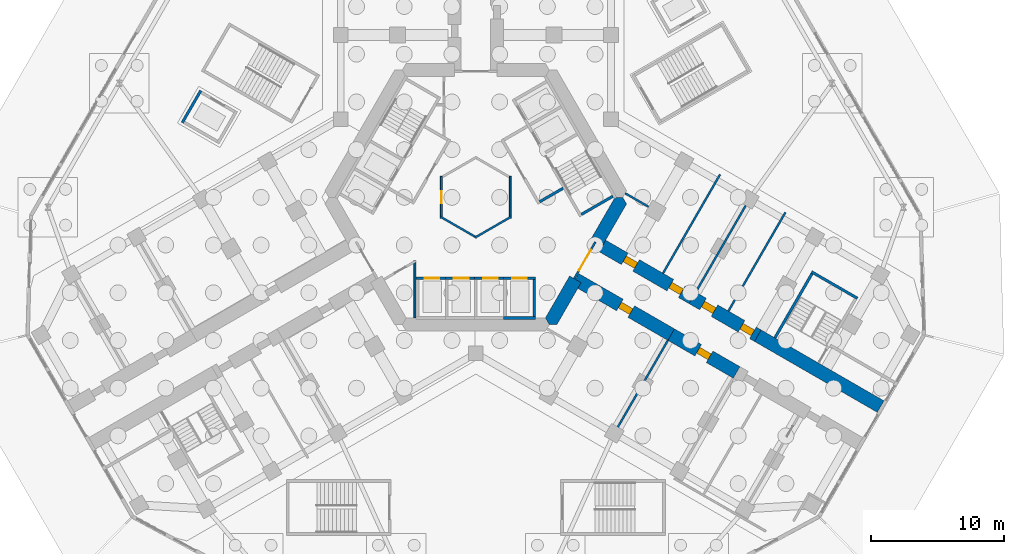
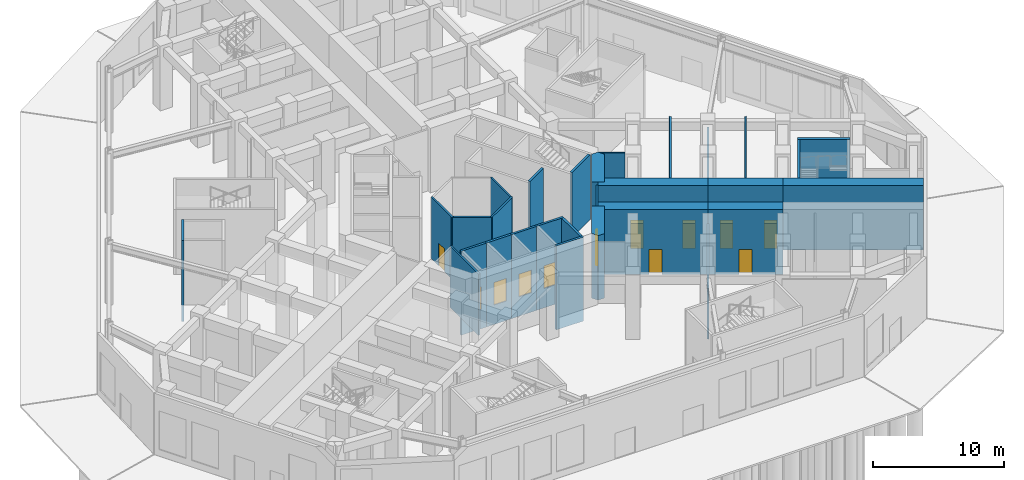
# One storey, part 7 of 16: 29 walls, 12 doors, 12 openings.
"""IFC4 building model written with IfcOpenShell, lengths in metres."""

from ifc_helpers import new_model, si_unit, direction, frame, frame_2d, origin, place, context, subcontext, project, spatial, polyline, rectangle, outline, extrude, material, layer, layer_set, type_object, element, fill, save


model = new_model("IFC4")

# Units and contexts
model_context = context("Model", 3, precision=1e-05, world=origin(), true_north=direction((0.0, 1.0)))
body_context = subcontext(model_context, "Body", "Model", "MODEL_VIEW")
ifc_project = project(units=[si_unit("LENGTHUNIT", "METRE"), si_unit("AREAUNIT", "SQUARE_METRE"), si_unit("VOLUMEUNIT", "CUBIC_METRE"), si_unit("PLANEANGLEUNIT", "RADIAN"), si_unit("MASSUNIT", "GRAM", prefix="KILO")], contexts=[model_context])

# Site, building, storey
site_placement = place(None, origin())
site = spatial("IfcSite", under=ifc_project, at=site_placement, CompositionType="ELEMENT")
building_placement = place(site_placement, origin())
building = spatial("IfcBuilding", under=site, at=building_placement, Name="Kosmar Iwan School Tower", CompositionType="ELEMENT")
storey_placement = place(building_placement, origin())
storey = spatial("IfcBuildingStorey", under=building, at=storey_placement, Name="L00", CompositionType="ELEMENT", Elevation=0.0)

# Walls
ifc_material_1 = material(Name="Gypsum board on steel studs, fire-rated", Category="steel")
ifc_layer_1 = layer(ifc_material_1, 0.14990234375)
ifc_layer_set_1 = layer_set([ifc_layer_1], Name="Core room partition 150")
wall_type_1 = type_object("IfcWallType", Name="Core room partition 150", PredefinedType="PARTITIONING", material=ifc_layer_set_1)
for number, where, z_axis, x_axis, name in (
    (1, (2.6650390625, -1.463623046875, 0.0), (0.0, 0.0, 1.0), (-0.866023080072, -0.500004024767, 0.0), "Core room partition L00-CW4"),
    (2, (0.06494140625, -3.039794921875, 0.0), (0.0, 0.0, 1.0), (-0.866023080072, 0.500004024767, 0.0), "Core room partition L00-CW5"),
):
    element("IfcWall", number, at=place(storey_placement, frame(where, z_axis=z_axis, x_axis=x_axis)), inside=storey, type_object=wall_type_1, Name=name, PredefinedType="PARTITIONING", context=body_context, shape_type="SweptSolid", body=[
        extrude(rectangle(XDim=3.15234375, YDim=0.14990234375, at=frame_2d((1.576171875, 0.0))), origin(), (0.0, 0.0, 1.0), 5.699951171875),
    ])

# Wall, opening, door
wall_1_placement = place(storey_placement, frame((-2.60009765625, -1.576171875, 0.0), z_axis=(0.0, 0.0, 1.0), x_axis=(0.0, 1.0, 0.0)))
wall_1 = element("IfcWall", 3, at=wall_1_placement, inside=storey, type_object=wall_type_1, Name="Core room partition L00-CW6", PredefinedType="PARTITIONING", context=body_context, shape_type="SweptSolid", body=[
    extrude(rectangle(XDim=3.15234375, YDim=0.14990234375, at=frame_2d((1.576171875, 0.0))), origin(), (0.0, 0.0, 1.0), 5.699951171875),
])
opening_1_placement = place(wall_1_placement, frame((1.1259765625, 0.0, 0.0)))
opening_1 = element("IfcOpeningElement", 4, at=opening_1_placement, cuts=wall_1, Name="Opening D14", PredefinedType="OPENING", context=body_context, shape_type="SweptSolid", body=[
    extrude(rectangle(XDim=0.89990234375, YDim=2.10009765625, at=frame_2d((0.449951171875, 1.050048828125))), frame((0.0, 0.0869140625, 0.0), z_axis=(0.0, -1.0, 0.0), x_axis=(1.0, 0.0, 0.0)), (0.0, 0.0, 1.0), 0.173828125),
])
ifc_material_2 = material(Name="Timber fire door in steel frame", Category="steel")
door_type_1 = type_object("IfcDoorType", Name="Core room door 900x2100", OperationType="SINGLE_SWING_LEFT", PredefinedType="DOOR", material=ifc_material_2)
door_1_placement = place(opening_1_placement, origin())
door_1 = element("IfcDoor", 5, at=door_1_placement, inside=storey, type_object=door_type_1, Name="Security room door L00 3", OperationType="SINGLE_SWING_LEFT", OverallHeight=2.10009765625, OverallWidth=0.89990234375, PredefinedType="DOOR", context=body_context, shape_type="SweptSolid", body=[
    extrude(rectangle(XDim=0.89990234375, YDim=2.10009765625, at=frame_2d((0.449951171875, 1.050048828125))), frame((0.0, 0.02490234375, 0.0), z_axis=(0.0, -1.0, 0.0), x_axis=(1.0, 0.0, 0.0)), (0.0, 0.0, 1.0), 0.050048828125),
])
fill(opening_1, door_1)

# Walls
wall_2_placement = place(storey_placement, frame((2.60009765625, 1.576171875, 0.0), z_axis=(0.0, 0.0, 1.0), x_axis=(0.0, -1.0, 0.0)))
element("IfcWall", 6, at=wall_2_placement, inside=storey, type_object=wall_type_1, Name="Core room partition L00-CW9", PredefinedType="PARTITIONING", context=body_context, shape_type="SweptSolid", body=[
    extrude(rectangle(XDim=3.15234375, YDim=0.14990234375, at=frame_2d((1.576171875, 0.0))), origin(), (0.0, 0.0, 1.0), 5.699951171875),
])
wall_3_placement = place(storey_placement, frame((-4.60009765625, -4.774658203125, 0.0), z_axis=(0.0, 0.0, 1.0), x_axis=(0.0, -1.0, 0.0)))
element("IfcWall", 7, at=wall_3_placement, inside=storey, type_object=wall_type_1, Name="Core room partition L00-CW11", PredefinedType="PARTITIONING", context=body_context, shape_type="SweptSolid", body=[
    extrude(rectangle(XDim=4.3203125, YDim=0.14990234375, at=frame_2d((2.16015625, 0.0))), origin(), (0.0, 0.0, 1.0), 5.699951171875),
])
ifc_material_3 = material(Name="Concrete C50/60", Category="concrete")
ifc_layer_2 = layer(ifc_material_3, 1.0)
ifc_layer_set_2 = layer_set([ifc_layer_2], Name="Core wall 1000")
wall_type_2 = type_object("IfcWallType", Name="Core wall 1000", PredefinedType="SHEAR", material=ifc_layer_set_2)
wall_4_placement = place(storey_placement, origin())
element("IfcWall", 8, at=wall_4_placement, inside=storey, type_object=wall_type_2, Name="Core wall F330a", PredefinedType="SHEAR", context=body_context, shape_type="SweptSolid", body=[
    extrude(outline(polyline([(5.54248046875, -9.60009765625), (6.119873046875, -9.60009765625), (7.94677734375, -6.435546875), (7.080810546875, -5.935546875), (5.25390625, -9.10009765625), (5.54248046875, -9.60009765625)])), origin(), (0.0, 0.0, 1.0), 6.0),
])
wall_5_placement = place(storey_placement, origin())
element("IfcWall", 9, at=wall_5_placement, inside=storey, type_object=wall_type_2, Name="Core wall F330b", PredefinedType="SHEAR", context=body_context, shape_type="SweptSolid", body=[
    extrude(outline(polyline([(9.546875, -3.664306640625), (11.373779296875, -0.5), (11.085205078125, 0.0), (10.5078125, 0.0), (8.680908203125, -3.164306640625), (9.546875, -3.664306640625)])), origin(), (0.0, 0.0, 1.0), 6.0),
])

# Wall, openings, doors
ifc_material_4 = material(Name="Concrete C50/60", Category="concrete")
ifc_layer_3 = layer(ifc_material_4, 1.0)
ifc_layer_set_3 = layer_set([ifc_layer_3], Name="Corridor buttress wall 1000")
wall_type_3 = type_object("IfcWallType", Name="Corridor buttress wall 1000", PredefinedType="SHEAR", material=ifc_layer_set_3)
wall_6_placement = place(storey_placement, frame((9.11376953125, -3.414306640625, 0.0), z_axis=(0.0, 0.0, 1.0), x_axis=(0.866026859388, -0.499997478812, 0.0)))
wall_6 = element("IfcWall", 10, at=wall_6_placement, inside=storey, type_object=wall_type_3, Name="Corridor wall CL", PredefinedType="SHEAR", context=body_context, shape_type="SweptSolid", body=[
    extrude(rectangle(XDim=8.35009765625, YDim=1.0, at=frame_2d((4.175048828125, 0.0))), origin(), (0.0, 0.0, 1.0), 6.0),
])
opening_2_placement = place(wall_6_placement, frame((2.449951171875, 0.0, 0.0)))
opening_2 = element("IfcOpeningElement", 11, at=opening_2_placement, cuts=wall_6, Name="Opening D4", PredefinedType="OPENING", context=body_context, shape_type="SweptSolid", body=[
    extrude(rectangle(XDim=1.0, YDim=2.300048828125, at=frame_2d((0.5, 1.14990234375))), frame((0.0, 0.511962890625, 0.0), z_axis=(0.0, -1.0, 0.0), x_axis=(1.0, 0.0, 0.0)), (0.0, 0.0, 1.0), 1.02392578125),
])
opening_3_placement = place(wall_6_placement, frame((6.425048828125, 0.0, 0.0)))
opening_3 = element("IfcOpeningElement", 12, at=opening_3_placement, cuts=wall_6, Name="Opening D4", PredefinedType="OPENING", context=body_context, shape_type="SweptSolid", body=[
    extrude(rectangle(XDim=1.0, YDim=2.300048828125, at=frame_2d((0.5, 1.14990234375))), frame((0.0, 0.511962890625, 0.0), z_axis=(0.0, -1.0, 0.0), x_axis=(1.0, 0.0, 0.0)), (0.0, 0.0, 1.0), 1.02392578125),
])
ifc_material_5 = material(Name="Timber fire door with vision panel", Category="wood")
door_type_2 = type_object("IfcDoorType", Name="Classroom door 1000x2300", OperationType="SINGLE_SWING_LEFT", PredefinedType="DOOR", material=ifc_material_5)
door_2_placement = place(opening_2_placement, origin())
door_2 = element("IfcDoor", 13, at=door_2_placement, inside=storey, type_object=door_type_2, Name="Cloakroom door L00-CL1", OperationType="SINGLE_SWING_RIGHT", OverallHeight=2.300048828125, OverallWidth=1.0, PredefinedType="DOOR", context=body_context, shape_type="SweptSolid", body=[
    extrude(rectangle(XDim=1.0, YDim=2.300048828125, at=frame_2d((0.5, 1.14990234375))), frame((0.0, 0.25, 0.0), z_axis=(0.0, -1.0, 0.0), x_axis=(1.0, 0.0, 0.0)), (0.0, 0.0, 1.0), 0.5),
])
fill(opening_2, door_2)
door_3_placement = place(opening_3_placement, origin())
door_3 = element("IfcDoor", 14, at=door_3_placement, inside=storey, type_object=door_type_2, Name="Staff room door L00-CL2", OperationType="SINGLE_SWING_RIGHT", OverallHeight=2.300048828125, OverallWidth=1.0, PredefinedType="DOOR", context=body_context, shape_type="SweptSolid", body=[
    extrude(rectangle(XDim=1.0, YDim=2.300048828125, at=frame_2d((0.5, 1.14990234375))), frame((0.0, 0.25, 0.0), z_axis=(0.0, -1.0, 0.0), x_axis=(1.0, 0.0, 0.0)), (0.0, 0.0, 1.0), 0.5),
])
fill(opening_3, door_3)

wall_7_placement = place(storey_placement, frame((16.34521484375, -7.58935546875, 0.0), z_axis=(0.0, 0.0, 1.0), x_axis=(0.866015111908, -0.50001782563, 0.0)))
wall_7 = element("IfcWall", 15, at=wall_7_placement, inside=storey, type_object=wall_type_3, Name="Corridor wall CL bay 2", PredefinedType="SHEAR", context=body_context, shape_type="SweptSolid", body=[
    extrude(rectangle(XDim=5.699951171875, YDim=1.0, at=frame_2d((2.85009765625, 0.0))), origin(), (0.0, 0.0, 1.0), 6.0),
])
opening_4_placement = place(wall_7_placement, frame((0.925048828125, 0.0, 0.0)))
opening_4 = element("IfcOpeningElement", 16, at=opening_4_placement, cuts=wall_7, Name="Opening D4", PredefinedType="OPENING", context=body_context, shape_type="SweptSolid", body=[
    extrude(rectangle(XDim=1.0, YDim=2.300048828125, at=frame_2d((0.5, 1.14990234375))), frame((0.0, 0.511962890625, 0.0), z_axis=(0.0, -1.0, 0.0), x_axis=(1.0, 0.0, 0.0)), (0.0, 0.0, 1.0), 1.02392578125),
])
opening_5_placement = place(wall_7_placement, frame((4.27490234375, 0.0, 0.0)))
opening_5 = element("IfcOpeningElement", 17, at=opening_5_placement, cuts=wall_7, Name="Opening D4", PredefinedType="OPENING", context=body_context, shape_type="SweptSolid", body=[
    extrude(rectangle(XDim=1.0, YDim=2.300048828125, at=frame_2d((0.5, 1.14990234375))), frame((0.0, 0.511962890625, 0.0), z_axis=(0.0, -1.0, 0.0), x_axis=(1.0, 0.0, 0.0)), (0.0, 0.0, 1.0), 1.02392578125),
])
door_4_placement = place(opening_4_placement, origin())
door_4 = element("IfcDoor", 18, at=door_4_placement, inside=storey, type_object=door_type_2, Name="Kitchen door L00-CL3", OperationType="SINGLE_SWING_LEFT", OverallHeight=2.300048828125, OverallWidth=1.0, PredefinedType="DOOR", context=body_context, shape_type="SweptSolid", body=[
    extrude(rectangle(XDim=1.0, YDim=2.300048828125, at=frame_2d((0.5, 1.14990234375))), frame((0.0, 0.25, 0.0), z_axis=(0.0, -1.0, 0.0), x_axis=(1.0, 0.0, 0.0)), (0.0, 0.0, 1.0), 0.5),
])
fill(opening_4, door_4)
door_5_placement = place(opening_5_placement, origin())
door_5 = element("IfcDoor", 19, at=door_5_placement, inside=storey, type_object=door_type_2, Name="Plant room door L00-CL4", OperationType="SINGLE_SWING_RIGHT", OverallHeight=2.300048828125, OverallWidth=1.0, PredefinedType="DOOR", context=body_context, shape_type="SweptSolid", body=[
    extrude(rectangle(XDim=1.0, YDim=2.300048828125, at=frame_2d((0.5, 1.14990234375))), frame((0.0, 0.25, 0.0), z_axis=(0.0, -1.0, 0.0), x_axis=(1.0, 0.0, 0.0)), (0.0, 0.0, 1.0), 0.5),
])
fill(opening_5, door_5)

# Wall
wall_8_placement = place(storey_placement, frame((21.281494140625, -10.439453125, 0.0), z_axis=(0.0, 0.0, 1.0), x_axis=(0.866034362967, -0.499984481919, 0.0)))
element("IfcWall", 20, at=wall_8_placement, inside=storey, type_object=wall_type_3, Name="Corridor wall CL bay 3", PredefinedType="SHEAR", context=body_context, shape_type="SweptSolid", body=[
    extrude(rectangle(XDim=10.699951171875, YDim=1.0, at=frame_2d((5.35009765625, 0.0))), origin(), (0.0, 0.0, 1.0), 6.0),
])

# Wall, opening, door
wall_9_placement = place(storey_placement, frame((7.513916015625, -6.185546875, 0.0), z_axis=(0.0, 0.0, 1.0), x_axis=(0.866019549707, -0.500010139422, 0.0)))
wall_9 = element("IfcWall", 21, at=wall_9_placement, inside=storey, type_object=wall_type_3, Name="Corridor wall CR", PredefinedType="SHEAR", context=body_context, shape_type="SweptSolid", body=[
    extrude(rectangle(XDim=8.349853515625, YDim=1.0, at=frame_2d((4.1748046875, 0.0))), origin(), (0.0, 0.0, 1.0), 6.0),
])
opening_6_placement = place(wall_9_placement, frame((3.875, 0.0, 0.0)))
opening_6 = element("IfcOpeningElement", 22, at=opening_6_placement, cuts=wall_9, Name="Opening D4", PredefinedType="OPENING", context=body_context, shape_type="SweptSolid", body=[
    extrude(rectangle(XDim=1.0, YDim=2.300048828125, at=frame_2d((0.5, 1.14990234375))), frame((0.0, 0.511962890625, 0.0), z_axis=(0.0, -1.0, 0.0), x_axis=(1.0, 0.0, 0.0)), (0.0, 0.0, 1.0), 1.02392578125),
])
door_6_placement = place(opening_6_placement, origin())
door_6 = element("IfcDoor", 23, at=door_6_placement, inside=storey, type_object=door_type_2, Name="Staff room door L00-CR1", OperationType="SINGLE_SWING_RIGHT", OverallHeight=2.300048828125, OverallWidth=1.0, PredefinedType="DOOR", context=body_context, shape_type="SweptSolid", body=[
    extrude(rectangle(XDim=1.0, YDim=2.300048828125, at=frame_2d((0.5, 1.14990234375))), frame((0.0, 0.25, 0.0), z_axis=(0.0, -1.0, 0.0), x_axis=(1.0, 0.0, 0.0)), (0.0, 0.0, 1.0), 0.5),
])
fill(opening_6, door_6)

wall_10_placement = place(storey_placement, frame((14.7451171875, -10.360595703125, 0.0), z_axis=(0.0, 0.0, 1.0), x_axis=(0.866015111908, -0.50001782563, 0.0)))
wall_10 = element("IfcWall", 24, at=wall_10_placement, inside=storey, type_object=wall_type_3, Name="Corridor wall CR bay 2", PredefinedType="SHEAR", context=body_context, shape_type="SweptSolid", body=[
    extrude(rectangle(XDim=5.699951171875, YDim=1.0, at=frame_2d((2.85009765625, 0.0))), origin(), (0.0, 0.0, 1.0), 6.0),
])
opening_7_placement = place(wall_10_placement, frame((2.35009765625, 0.0, 0.0)))
opening_7 = element("IfcOpeningElement", 25, at=opening_7_placement, cuts=wall_10, Name="Opening D4", PredefinedType="OPENING", context=body_context, shape_type="SweptSolid", body=[
    extrude(rectangle(XDim=1.0, YDim=2.300048828125, at=frame_2d((0.5, 1.14990234375))), frame((0.0, 0.511962890625, 0.0), z_axis=(0.0, -1.0, 0.0), x_axis=(1.0, 0.0, 0.0)), (0.0, 0.0, 1.0), 1.02392578125),
])
door_7_placement = place(opening_7_placement, origin())
door_7 = element("IfcDoor", 26, at=door_7_placement, inside=storey, type_object=door_type_2, Name="Kitchen door L00-CR2", OperationType="SINGLE_SWING_LEFT", OverallHeight=2.300048828125, OverallWidth=1.0, PredefinedType="DOOR", context=body_context, shape_type="SweptSolid", body=[
    extrude(rectangle(XDim=1.0, YDim=2.300048828125, at=frame_2d((0.5, 1.14990234375))), frame((0.0, 0.25, 0.0), z_axis=(0.0, -1.0, 0.0), x_axis=(1.0, 0.0, 0.0)), (0.0, 0.0, 1.0), 0.5),
])
fill(opening_7, door_7)

ifc_material_6 = material(Name="Steel framed glazed screen", Category="steel")
ifc_layer_4 = layer(ifc_material_6, 0.14990234375)
ifc_layer_set_4 = layer_set([ifc_layer_4], Name="Corridor screen wall 150")
wall_type_4 = type_object("IfcWallType", Name="Corridor screen wall 150", PredefinedType="PARTITIONING", material=ifc_layer_set_4)
wall_11_placement = place(storey_placement, frame((7.42724609375, -6.1357421875, 0.0), z_axis=(0.0, 0.0, 1.0), x_axis=(0.499995408039, 0.866028054938, 0.0)))
wall_11 = element("IfcWall", 27, at=wall_11_placement, inside=storey, type_object=wall_type_4, Name="Corridor screen C L00", PredefinedType="PARTITIONING", context=body_context, shape_type="SweptSolid", body=[
    extrude(rectangle(XDim=3.2001953125, YDim=0.14990234375, at=frame_2d((1.60009765625, 0.0))), origin(), (0.0, 0.0, 1.0), 5.699951171875),
])
opening_8_placement = place(wall_11_placement, frame((0.699951171875, 0.0, 0.0)))
opening_8 = element("IfcOpeningElement", 28, at=opening_8_placement, cuts=wall_11, Name="Opening D9", PredefinedType="OPENING", context=body_context, shape_type="SweptSolid", body=[
    extrude(rectangle(XDim=1.800048828125, YDim=2.10009765625, at=frame_2d((0.89990234375, 1.050048828125))), frame((0.0, 0.0869140625, 0.0), z_axis=(0.0, -1.0, 0.0), x_axis=(1.0, 0.0, 0.0)), (0.0, 0.0, 1.0), 0.173828125),
])
ifc_material_7 = material(Name="Steel framed glazed smoke door", Category="steel")
door_type_3 = type_object("IfcDoorType", Name="Corridor smoke door pair 1800x2100", OperationType="DOUBLE_DOOR_DOUBLE_SWING", PredefinedType="DOOR", material=ifc_material_7)
door_8_placement = place(opening_8_placement, origin())
door_8 = element("IfcDoor", 29, at=door_8_placement, inside=storey, type_object=door_type_3, Name="Corridor doors C L00", OperationType="DOUBLE_DOOR_DOUBLE_SWING", OverallHeight=2.10009765625, OverallWidth=1.800048828125, PredefinedType="DOOR", context=body_context, shape_type="SweptSolid", body=[
    extrude(rectangle(XDim=1.800048828125, YDim=2.10009765625, at=frame_2d((0.89990234375, 1.050048828125))), frame((0.0, 0.02490234375, 0.0), z_axis=(0.0, -1.0, 0.0), x_axis=(1.0, 0.0, 0.0)), (0.0, 0.0, 1.0), 0.050048828125),
])
fill(opening_8, door_8)

# Walls
ifc_material_8 = material(Name="Concrete C35/45", Category="concrete")
ifc_layer_5 = layer(ifc_material_8, 0.199951171875)
ifc_layer_set_5 = layer_set([ifc_layer_5], Name="Escape stair wall 200")
wall_type_5 = type_object("IfcWallType", Name="Escape stair wall 200", PredefinedType="SHEAR", material=ifc_layer_set_5)
wall_12_placement = place(storey_placement, frame((22.57080078125, -10.6064453125, 0.0), z_axis=(0.0, 0.0, 1.0), x_axis=(0.499987231761, 0.866032775405, 0.0)))
element("IfcWall", 30, at=wall_12_placement, inside=storey, type_object=wall_type_5, Name="Stair WS3 wall", PredefinedType="SHEAR", context=body_context, shape_type="SweptSolid", body=[
    extrude(rectangle(XDim=5.800048828125, YDim=0.199951171875, at=frame_2d((2.89990234375, 0.0))), origin(), (0.0, 0.0, 1.0), 5.679931640625),
])
wall_13_placement = place(storey_placement, frame((25.334228515625, -5.6201171875, 0.0), z_axis=(0.0, 0.0, 1.0), x_axis=(0.866026010844, -0.49999894854, 0.0)))
element("IfcWall", 31, at=wall_13_placement, inside=storey, type_object=wall_type_5, Name="Stair WS3 wall", PredefinedType="SHEAR", context=body_context, shape_type="SweptSolid", body=[
    extrude(rectangle(XDim=4.0, YDim=0.199951171875, at=frame_2d((2.0, 0.0))), origin(), (0.0, 0.0, 1.0), 5.679931640625),
])
ifc_material_9 = material(Name="Concrete block masonry", Category="masonry")
ifc_layer_6 = layer(ifc_material_9, 0.199951171875)
ifc_layer_set_6 = layer_set([ifc_layer_6], Name="Fire lobby wall 200")
wall_type_6 = type_object("IfcWallType", Name="Fire lobby wall 200", PredefinedType="PARTITIONING", material=ifc_layer_set_6)
wall_14_placement = place(storey_placement, frame((4.814208984375, -0.33837890625, 0.0), z_axis=(0.0, 0.0, 1.0), x_axis=(0.865969381856, 0.500097020274, 0.0)))
element("IfcWall", 32, at=wall_14_placement, inside=storey, type_object=wall_type_6, Name="Firefighting lobby wall ST1", PredefinedType="PARTITIONING", context=body_context, shape_type="SweptSolid", body=[
    extrude(rectangle(XDim=2.0498046875, YDim=0.199951171875, at=frame_2d((1.02490234375, 0.0))), origin(), (0.0, 0.0, 1.0), 5.699951171875),
])

# Wall, opening, door
ifc_material_10 = material(Name="Concrete C50/60", Category="concrete")
ifc_layer_7 = layer(ifc_material_10, 0.199951171875)
ifc_layer_set_7 = layer_set([ifc_layer_7], Name="Lift shaft wall 200")
wall_type_7 = type_object("IfcWallType", Name="Lift shaft wall 200", PredefinedType="SHEAR", material=ifc_layer_set_7)
wall_15_placement = place(storey_placement, frame((-4.52490234375, -6.10009765625, -1.800048828125), z_axis=(0.0, 0.0, 1.0), x_axis=(1.0, 0.0, 0.0)))
wall_15 = element("IfcWall", 33, at=wall_15_placement, inside=storey, type_object=wall_type_7, Name="Lift and stair front wall BC", PredefinedType="SHEAR", context=body_context, shape_type="SweptSolid", body=[
    extrude(rectangle(XDim=2.224853515625, YDim=0.199951171875, at=frame_2d((1.1123046875, 0.0))), origin(), (0.0, 0.0, 1.0), 7.800048828125),
])
opening_9_placement = place(wall_15_placement, frame((0.675048828125, 0.0, 1.800048828125)))
opening_9 = element("IfcOpeningElement", 34, at=opening_9_placement, cuts=wall_15, Name="Opening LD1", PredefinedType="OPENING", context=body_context, shape_type="SweptSolid", body=[
    extrude(rectangle(XDim=1.10009765625, YDim=2.10009765625, at=frame_2d((0.550048828125, 1.050048828125))), frame((0.0, 0.112060546875, 0.0), z_axis=(0.0, -1.0, 0.0), x_axis=(1.0, 0.0, 0.0)), (0.0, 0.0, 1.0), 0.223876953125),
])
ifc_material_11 = material(Name="Stainless steel sliding lift door", Category="steel")
door_type_4 = type_object("IfcDoorType", Name="Lift landing door 1100x2100", OperationType="SLIDING_TO_LEFT", PredefinedType="DOOR", material=ifc_material_11)
door_9_placement = place(opening_9_placement, origin())
door_9 = element("IfcDoor", 35, at=door_9_placement, inside=storey, type_object=door_type_4, Name="Lift PL1 landing door L00", OperationType="SLIDING_TO_LEFT", OverallHeight=2.10009765625, OverallWidth=1.10009765625, PredefinedType="DOOR", context=body_context, shape_type="SweptSolid", body=[
    extrude(rectangle(XDim=1.10009765625, YDim=2.10009765625, at=frame_2d((0.550048828125, 1.050048828125))), frame((0.0, 0.02490234375, 0.0), z_axis=(0.0, -1.0, 0.0), x_axis=(1.0, 0.0, 0.0)), (0.0, 0.0, 1.0), 0.050048828125),
])
fill(opening_9, door_9)

wall_16_placement = place(storey_placement, frame((-2.300048828125, -6.10009765625, -1.800048828125), z_axis=(0.0, 0.0, 1.0), x_axis=(1.0, 0.0, 0.0)))
wall_16 = element("IfcWall", 36, at=wall_16_placement, inside=storey, type_object=wall_type_7, Name="Lift and stair front wall BC", PredefinedType="SHEAR", context=body_context, shape_type="SweptSolid", body=[
    extrude(rectangle(XDim=2.199951171875, YDim=0.199951171875, at=frame_2d((1.10009765625, 0.0))), origin(), (0.0, 0.0, 1.0), 7.800048828125),
])
opening_10_placement = place(wall_16_placement, frame((0.64990234375, 0.0, 1.800048828125)))
opening_10 = element("IfcOpeningElement", 37, at=opening_10_placement, cuts=wall_16, Name="Opening LD1", PredefinedType="OPENING", context=body_context, shape_type="SweptSolid", body=[
    extrude(rectangle(XDim=1.10009765625, YDim=2.10009765625, at=frame_2d((0.550048828125, 1.050048828125))), frame((0.0, 0.112060546875, 0.0), z_axis=(0.0, -1.0, 0.0), x_axis=(1.0, 0.0, 0.0)), (0.0, 0.0, 1.0), 0.223876953125),
])
door_10_placement = place(opening_10_placement, origin())
door_10 = element("IfcDoor", 38, at=door_10_placement, inside=storey, type_object=door_type_4, Name="Lift PL2 landing door L00", OperationType="SLIDING_TO_LEFT", OverallHeight=2.10009765625, OverallWidth=1.10009765625, PredefinedType="DOOR", context=body_context, shape_type="SweptSolid", body=[
    extrude(rectangle(XDim=1.10009765625, YDim=2.10009765625, at=frame_2d((0.550048828125, 1.050048828125))), frame((0.0, 0.02490234375, 0.0), z_axis=(0.0, -1.0, 0.0), x_axis=(1.0, 0.0, 0.0)), (0.0, 0.0, 1.0), 0.050048828125),
])
fill(opening_10, door_10)

wall_17_placement = place(storey_placement, frame((-0.10009765625, -6.10009765625, -1.800048828125), z_axis=(0.0, 0.0, 1.0), x_axis=(1.0, 0.0, 0.0)))
wall_17 = element("IfcWall", 39, at=wall_17_placement, inside=storey, type_object=wall_type_7, Name="Lift and stair front wall BC", PredefinedType="SHEAR", context=body_context, shape_type="SweptSolid", body=[
    extrude(rectangle(XDim=2.2001953125, YDim=0.199951171875, at=frame_2d((1.10009765625, 0.0))), origin(), (0.0, 0.0, 1.0), 7.800048828125),
])
opening_11_placement = place(wall_17_placement, frame((0.64990234375, 0.0, 1.800048828125)))
opening_11 = element("IfcOpeningElement", 40, at=opening_11_placement, cuts=wall_17, Name="Opening LD1", PredefinedType="OPENING", context=body_context, shape_type="SweptSolid", body=[
    extrude(rectangle(XDim=1.10009765625, YDim=2.10009765625, at=frame_2d((0.550048828125, 1.050048828125))), frame((0.0, 0.112060546875, 0.0), z_axis=(0.0, -1.0, 0.0), x_axis=(1.0, 0.0, 0.0)), (0.0, 0.0, 1.0), 0.223876953125),
])
door_11_placement = place(opening_11_placement, origin())
door_11 = element("IfcDoor", 41, at=door_11_placement, inside=storey, type_object=door_type_4, Name="Lift PL3 landing door L00", OperationType="SLIDING_TO_LEFT", OverallHeight=2.10009765625, OverallWidth=1.10009765625, PredefinedType="DOOR", context=body_context, shape_type="SweptSolid", body=[
    extrude(rectangle(XDim=1.10009765625, YDim=2.10009765625, at=frame_2d((0.550048828125, 1.050048828125))), frame((0.0, 0.02490234375, 0.0), z_axis=(0.0, -1.0, 0.0), x_axis=(1.0, 0.0, 0.0)), (0.0, 0.0, 1.0), 0.050048828125),
])
fill(opening_11, door_11)

wall_18_placement = place(storey_placement, frame((2.10009765625, -6.10009765625, -1.800048828125), z_axis=(0.0, 0.0, 1.0), x_axis=(1.0, 0.0, 0.0)))
wall_18 = element("IfcWall", 42, at=wall_18_placement, inside=storey, type_object=wall_type_7, Name="Lift and stair front wall BC", PredefinedType="SHEAR", context=body_context, shape_type="SweptSolid", body=[
    extrude(rectangle(XDim=2.39990234375, YDim=0.199951171875, at=frame_2d((1.199951171875, 0.0))), origin(), (0.0, 0.0, 1.0), 7.800048828125),
])
opening_12_placement = place(wall_18_placement, frame((0.64990234375, 0.0, 1.800048828125)))
opening_12 = element("IfcOpeningElement", 43, at=opening_12_placement, cuts=wall_18, Name="Opening LD1", PredefinedType="OPENING", context=body_context, shape_type="SweptSolid", body=[
    extrude(rectangle(XDim=1.10009765625, YDim=2.10009765625, at=frame_2d((0.550048828125, 1.050048828125))), frame((0.0, 0.112060546875, 0.0), z_axis=(0.0, -1.0, 0.0), x_axis=(1.0, 0.0, 0.0)), (0.0, 0.0, 1.0), 0.223876953125),
])
door_12_placement = place(opening_12_placement, origin())
door_12 = element("IfcDoor", 44, at=door_12_placement, inside=storey, type_object=door_type_4, Name="Lift PL4 landing door L00", OperationType="SLIDING_TO_LEFT", OverallHeight=2.10009765625, OverallWidth=1.10009765625, PredefinedType="DOOR", context=body_context, shape_type="SweptSolid", body=[
    extrude(rectangle(XDim=1.10009765625, YDim=2.10009765625, at=frame_2d((0.550048828125, 1.050048828125))), frame((0.0, 0.02490234375, 0.0), z_axis=(0.0, -1.0, 0.0), x_axis=(1.0, 0.0, 0.0)), (0.0, 0.0, 1.0), 0.050048828125),
])
fill(opening_12, door_12)

# Walls
wall_19_placement = place(storey_placement, frame((2.10009765625, -9.10009765625, -1.800048828125), z_axis=(0.0, 0.0, 1.0), x_axis=(1.0, 0.0, 0.0)))
element("IfcWall", 45, at=wall_19_placement, inside=storey, type_object=wall_type_7, Name="Lift and stair back wall BC", PredefinedType="SHEAR", context=body_context, shape_type="SweptSolid", body=[
    extrude(rectangle(XDim=2.39990234375, YDim=0.199951171875, at=frame_2d((1.199951171875, 0.0))), origin(), (0.0, 0.0, 1.0), 7.800048828125),
])
wall_20_placement = place(storey_placement, frame((4.39990234375, -6.199951171875, -1.800048828125), z_axis=(0.0, 0.0, 1.0), x_axis=(0.0, -1.0, 0.0)))
element("IfcWall", 46, at=wall_20_placement, inside=storey, type_object=wall_type_7, Name="Lift shaft wall BC 4", PredefinedType="SHEAR", context=body_context, shape_type="SweptSolid", body=[
    extrude(rectangle(XDim=2.800048828125, YDim=0.199951171875, at=frame_2d((1.39990234375, 0.0))), origin(), (0.0, 0.0, 1.0), 7.800048828125),
])
wall_21_placement = place(storey_placement, frame((-20.75244140625, 8.055419921875, -1.5), z_axis=(0.0, 0.0, 1.0), x_axis=(-0.500049511043, -0.865996816683, 0.0)))
element("IfcWall", 47, at=wall_21_placement, inside=storey, type_object=wall_type_7, Name="School lift SL2 shaft wall", PredefinedType="SHEAR", context=body_context, shape_type="SweptSolid", body=[
    extrude(rectangle(XDim=2.800048828125, YDim=0.199951171875, at=frame_2d((1.39990234375, 0.0))), origin(), (0.0, 0.0, 1.0), 7.5),
])
ifc_material_12 = material(Name="Gypsum board on steel studs", Category="steel")
ifc_layer_8 = layer(ifc_material_12, 0.14990234375)
ifc_layer_set_8 = layer_set([ifc_layer_8], Name="School partition 150")
wall_type_8 = type_object("IfcWallType", Name="School partition 150", PredefinedType="PARTITIONING", material=ifc_layer_set_8)
wall_22_placement = place(storey_placement, frame((11.263916015625, 0.3095703125, 0.0), z_axis=(0.0, 0.0, 1.0), x_axis=(0.865999163574, -0.500045446624, 0.0)))
element("IfcWall", 48, at=wall_22_placement, inside=storey, type_object=wall_type_8, Name="Partition L00-CL-NB", PredefinedType="PARTITIONING", context=body_context, shape_type="SweptSolid", body=[
    extrude(rectangle(XDim=2.050048828125, YDim=0.14990234375, at=frame_2d((1.02490234375, 0.0))), origin(), (0.0, 0.0, 1.0), 5.699951171875),
])
wall_23_placement = place(storey_placement, frame((14.126953125, -5.7314453125, 0.0), z_axis=(0.0, 0.0, 1.0), x_axis=(0.499995216735, 0.866028165386, 0.0)))
element("IfcWall", 49, at=wall_23_placement, inside=storey, type_object=wall_type_8, Name="Partition L00-CL-X1", PredefinedType="PARTITIONING", context=body_context, shape_type="SweptSolid", body=[
    extrude(rectangle(XDim=8.60009765625, YDim=0.14990234375, at=frame_2d((4.300048828125, 0.0))), origin(), (0.0, 0.0, 1.0), 5.699951171875),
])
wall_24_placement = place(storey_placement, frame((16.59521484375, -7.15625, 0.0), z_axis=(0.0, 0.0, 1.0), x_axis=(0.500007509209, 0.866021068297, 0.0)))
element("IfcWall", 50, at=wall_24_placement, inside=storey, type_object=wall_type_8, Name="Partition L00-CL-X2", PredefinedType="PARTITIONING", context=body_context, shape_type="SweptSolid", body=[
    extrude(rectangle(XDim=8.599853515625, YDim=0.14990234375, at=frame_2d((4.2998046875, 0.0))), origin(), (0.0, 0.0, 1.0), 4.699951171875),
])
wall_25_placement = place(storey_placement, frame((19.063232421875, -8.581298828125, 0.0), z_axis=(0.0, 0.0, 1.0), x_axis=(0.500007509209, 0.866021068297, 0.0)))
element("IfcWall", 51, at=wall_25_placement, inside=storey, type_object=wall_type_8, Name="Partition L00-CL-X3", PredefinedType="PARTITIONING", context=body_context, shape_type="SweptSolid", body=[
    extrude(rectangle(XDim=8.599853515625, YDim=0.14990234375, at=frame_2d((4.2998046875, 0.0))), origin(), (0.0, 0.0, 1.0), 5.699951171875),
])
wall_26_placement = place(storey_placement, frame((14.4951171875, -10.793701171875, 0.0), z_axis=(0.0, 0.0, 1.0), x_axis=(-0.500007509209, -0.866021068297, 0.0)))
element("IfcWall", 52, at=wall_26_placement, inside=storey, type_object=wall_type_8, Name="Partition L00-CR-X1", PredefinedType="PARTITIONING", context=body_context, shape_type="SweptSolid", body=[
    extrude(rectangle(XDim=8.599853515625, YDim=0.14990234375, at=frame_2d((4.2998046875, 0.0))), origin(), (0.0, 0.0, 1.0), 4.699951171875),
])
ifc_material_13 = material(Name="Concrete C50/60", Category="concrete")
ifc_layer_9 = layer(ifc_material_13, 0.199951171875)
ifc_layer_set_9 = layer_set([ifc_layer_9], Name="Stair enclosure wall 200")
wall_type_9 = type_object("IfcWallType", Name="Stair enclosure wall 200", PredefinedType="SHEAR", material=ifc_layer_set_9)
wall_27_placement = place(storey_placement, frame((7.962646484375, -1.291748046875, 0.0), z_axis=(0.0, 0.0, 1.0), x_axis=(0.866027397988, 0.499996545922, 0.0)))
element("IfcWall", 53, at=wall_27_placement, inside=storey, type_object=wall_type_9, Name="Stair ST1 wall", PredefinedType="SHEAR", context=body_context, shape_type="SweptSolid", body=[
    extrude(rectangle(XDim=2.75, YDim=0.199951171875, at=frame_2d((1.375, 0.0))), origin(), (0.0, 0.0, 1.0), 6.0),
])

save(model, "model.ifc")
